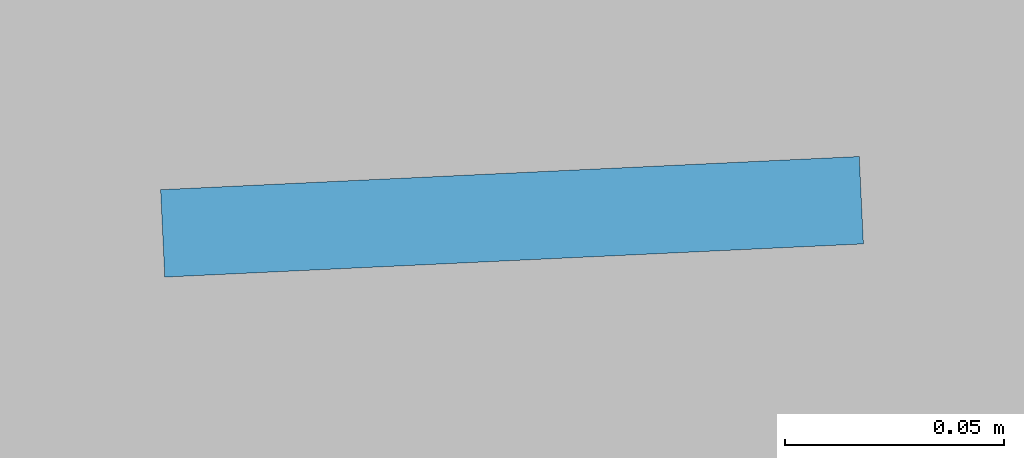
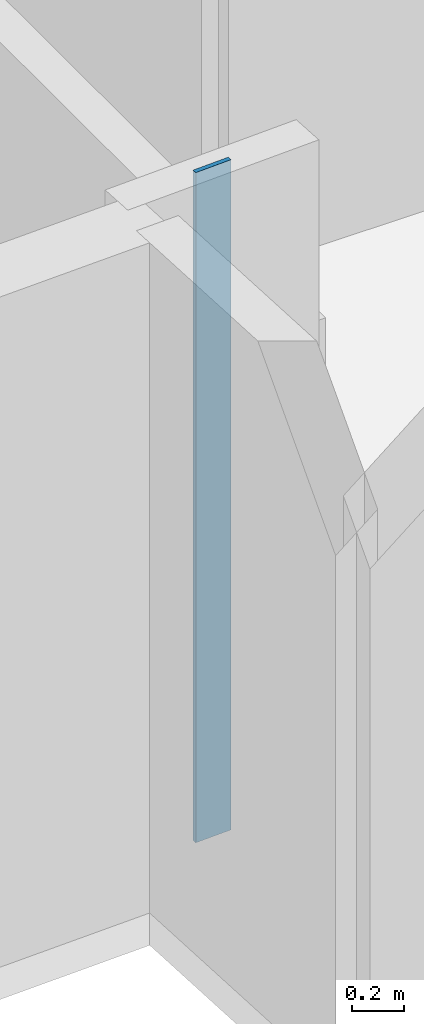
# One storey, part 3 of 15: 1 plate.
"""IFC4 building model written with IfcOpenShell, lengths in metres."""

import ifcopenshell
import ifcopenshell.guid

model = None  # the IFC model being written
_history = None  # IfcOwnerHistory: only IFC2X3 demands one
_inside = {}  # id of a spatial element -> (the spatial element, [elements in it])
_under = {}  # id of a project, library or spatial element -> (it, [spatial elements below it])
_declared = {}  # id of a project -> (the project, [libraries it declares])
_typed = {}  # id of a type object -> (the type object, [elements of that type])
_made_of = {}  # id of a material, layer set ... -> (it, [elements and type objects made of it])


def new_model(schema):
    """Start an empty IFC model of exactly this schema.

    Asked for "IFC4X3", IfcOpenShell would pick the latest addendum, in which some entities
    have other attributes; the version numbers below select the first issue.
    IFC2X3 requires an IfcOwnerHistory on every rooted entity: one is made here for all.
    """
    global model, _history
    if schema == "IFC4X3":
        model = ifcopenshell.file(schema_version=(4, 3, 0, 0))
    else:
        model = ifcopenshell.file(schema=schema)
    _inside.clear()
    _under.clear()
    _declared.clear()
    _typed.clear()
    _made_of.clear()
    _history = None
    if model.schema == "IFC2X3":
        org = make("IfcOrganization", Name="unknown")
        user = make(
            "IfcPersonAndOrganization",
            ThePerson=make("IfcPerson", FamilyName="unknown"),
            TheOrganization=org,
        )
        app = make(
            "IfcApplication",
            ApplicationDeveloper=org,
            Version="unknown",
            ApplicationFullName="unknown",
            ApplicationIdentifier="unknown",
        )
        _history = make(
            "IfcOwnerHistory",
            OwningUser=user,
            OwningApplication=app,
            ChangeAction="ADDED",
            CreationDate=0,
        )
    return model


def make(cls, **values):
    """One entity of the class cls with the attributes given. An attribute that is None is left unset."""
    return model.create_entity(
        cls, **{name: value for name, value in values.items() if value is not None}
    )


def rooted(cls, **values):
    """An entity with a GlobalId (a new one), such as an element, a storey or a relation."""
    return make(cls, GlobalId=ifcopenshell.guid.new(), OwnerHistory=_history, **values)


def si_unit(unit_type, name, prefix=None):
    """IfcSIUnit, for example si_unit("LENGTHUNIT", "METRE", prefix="MILLI")."""
    return make("IfcSIUnit", UnitType=unit_type, Prefix=prefix, Name=name)


def assignment(units):
    """IfcUnitAssignment: the units of a project."""
    return None if units is None else make("IfcUnitAssignment", Units=units)


def point(xyz):
    """IfcCartesianPoint."""
    return None if xyz is None else make("IfcCartesianPoint", Coordinates=xyz)


def direction(xyz):
    """IfcDirection."""
    return None if xyz is None else make("IfcDirection", DirectionRatios=xyz)


def frame(location, z_axis=None, x_axis=None):
    """IfcAxis2Placement3D, a coordinate frame: its origin and axes. An axis left out is left unset."""
    return make(
        "IfcAxis2Placement3D",
        Location=point(location),
        Axis=direction(z_axis),
        RefDirection=direction(x_axis),
    )


def frame_2d(location, x_axis=None):
    """IfcAxis2Placement2D, a coordinate frame in the plane: its origin and x axis."""
    return make(
        "IfcAxis2Placement2D", Location=point(location), RefDirection=direction(x_axis)
    )


def origin():
    """The frame at (0, 0, 0) with its axes left unset."""
    return frame((0.0, 0.0, 0.0))


def origin_2d():
    """The frame at (0, 0) in the plane with its x axis left unset."""
    return frame_2d((0.0, 0.0))


def place(relative_to, where):
    """IfcLocalPlacement: puts the frame where relative to a parent placement (None: the world)."""
    return make(
        "IfcLocalPlacement", PlacementRelTo=relative_to, RelativePlacement=where
    )


def context(
    kind, dimensions, precision=None, world=None, true_north=None, identifier=None
):
    """IfcGeometricRepresentationContext, for example the 3D "Model" context."""
    return make(
        "IfcGeometricRepresentationContext",
        ContextIdentifier=identifier,
        ContextType=kind,
        CoordinateSpaceDimension=dimensions,
        Precision=precision,
        WorldCoordinateSystem=world,
        TrueNorth=true_north,
    )


def subcontext(parent, identifier, kind, view, scale=None):
    """IfcGeometricRepresentationSubContext, for example "Body" below "Model"."""
    return make(
        "IfcGeometricRepresentationSubContext",
        ContextIdentifier=identifier,
        ContextType=kind,
        ParentContext=parent,
        TargetScale=scale,
        TargetView=view,
    )


def project(units=None, contexts=None):
    """IfcProject with its units and contexts."""
    return rooted(
        "IfcProject",
        Name="project",
        RepresentationContexts=contexts,
        UnitsInContext=assignment(units),
    )


def spatial(cls, under=None, at=None, **own):
    """A site, building, storey or space (cls), placed at a placement, below another one or the project."""
    s = rooted(cls, ObjectPlacement=at, **own)
    if under is not None:
        _under.setdefault(under.id(), (under, []))[1].append(s)
    return s


def profile(cls, at=None, kind="AREA", **sizes):
    """A parametric profile (cls). Its sizes go by their IFC names, for example OverallWidth=200.0."""
    return make(cls, ProfileType=kind, Position=at, **sizes)


def rectangle(**sizes):
    """IfcRectangleProfileDef."""
    return profile("IfcRectangleProfileDef", **sizes)


def extrude(swept, where, along, depth):
    """IfcExtrudedAreaSolid: the profile swept, set in the frame where, extruded along a direction by depth."""
    return make(
        "IfcExtrudedAreaSolid",
        SweptArea=swept,
        Position=where,
        ExtrudedDirection=direction(along),
        Depth=depth,
    )


def shape(context_of_items, identifier, shape_type, items):
    """IfcShapeRepresentation: the items that make up one representation, for example the "Body"."""
    return make(
        "IfcShapeRepresentation",
        ContextOfItems=context_of_items,
        RepresentationIdentifier=identifier,
        RepresentationType=shape_type,
        Items=items,
    )


def material(Name=None, Category=None):
    """IfcMaterial."""
    return make("IfcMaterial", Name=Name, Category=Category)


def layer(
    of_material, thickness, ventilated=None, Name=None, Category=None, Priority=None
):
    """IfcMaterialLayer: one layer of a wall or slab, of a material (None: an air gap)."""
    return make(
        "IfcMaterialLayer",
        Material=of_material,
        LayerThickness=thickness,
        IsVentilated=ventilated,
        Name=Name,
        Category=Category,
        Priority=Priority,
    )


def layer_set(layers, Name=None):
    """IfcMaterialLayerSet."""
    return make("IfcMaterialLayerSet", MaterialLayers=layers, LayerSetName=Name)


def made_of(thing, what):
    """Note that an element or type object is made of a material, layer set ...; save() writes the relation."""
    if what is not None:
        _made_of.setdefault(what.id(), (what, []))[1].append(thing)
    return thing


def type_object(cls, material=None, **own):
    """A type object (cls), such as IfcWallType, which elements share."""
    return made_of(rooted(cls, **own), material)


def element(
    cls,
    number,
    at=None,
    inside=None,
    cuts=None,
    type_object=None,
    material=None,
    context=None,
    identifier="Body",
    shape_type=None,
    held_by="IfcProductDefinitionShape",
    body=None,
    shapes=None,
    **own,
):
    """One element of the class cls, such as IfcWall. Its Tag is "e" and its number.

    at: its placement. inside: the storey or other place that contains it. cuts: it is an
    opening in that element (IfcRelVoidsElement). A single representation is given by context,
    identifier, shape_type and body (its items); several are given by shapes. held_by: the class
    of the entity that holds the representations. save() writes the other relations.
    """
    e = rooted(cls, Tag="e%d" % number, ObjectPlacement=at, **own)
    if body is not None:
        shapes = [shape(context, identifier, shape_type, body)]
    if shapes is not None:
        e.Representation = make(held_by, Representations=shapes)
    if inside is not None:
        _inside.setdefault(inside.id(), (inside, []))[1].append(e)
    if cuts is not None:
        rooted(
            "IfcRelVoidsElement", RelatingBuildingElement=cuts, RelatedOpeningElement=e
        )
    if type_object is not None:
        _typed.setdefault(type_object.id(), (type_object, []))[1].append(e)
    return made_of(e, material)


def aggregate(whole, parts):
    """IfcRelAggregates: a whole, such as a stair, and the parts it consists of."""
    return rooted("IfcRelAggregates", RelatingObject=whole, RelatedObjects=parts)


def save(model, path):
    """Write the relations noted so far, then the file.

    IfcRelAggregates (storeys below a building ...), IfcRelContainedInSpatialStructure (elements
    in a storey), IfcRelDefinesByType, IfcRelAssociatesMaterial and IfcRelDeclares: one each for
    every whole, place, type object, material and project.
    """
    for whole, parts in _under.values():
        aggregate(whole, parts)
    for where, things in _inside.values():
        rooted(
            "IfcRelContainedInSpatialStructure",
            RelatedElements=things,
            RelatingStructure=where,
        )
    for kind, things in _typed.values():
        rooted("IfcRelDefinesByType", RelatedObjects=things, RelatingType=kind)
    for what, things in _made_of.values():
        rooted("IfcRelAssociatesMaterial", RelatedObjects=things, RelatingMaterial=what)
    for by, libraries in _declared.values():
        rooted("IfcRelDeclares", RelatingContext=by, RelatedDefinitions=libraries)
    model.write(path)


model = new_model("IFC4")

# Units and contexts
model_context = context("Model", 3, precision=1e-05, world=origin(), true_north=direction((0.0, 1.0)))
body_context = subcontext(model_context, "Body", "Model", "MODEL_VIEW")
ifc_project = project(units=[si_unit("LENGTHUNIT", "METRE"), si_unit("AREAUNIT", "SQUARE_METRE"), si_unit("VOLUMEUNIT", "CUBIC_METRE"), si_unit("PLANEANGLEUNIT", "RADIAN"), si_unit("MASSUNIT", "GRAM", prefix="KILO")], contexts=[model_context])

# Site, building, storey
site_placement = place(None, origin())
site = spatial("IfcSite", under=ifc_project, at=site_placement, CompositionType="ELEMENT")
building_placement = place(site_placement, origin())
building = spatial("IfcBuilding", under=site, at=building_placement, Name="Miruveldt Soraemaru", CompositionType="ELEMENT")
storey_placement = place(building_placement, frame((0.0, 0.0, 36.0)))
storey = spatial("IfcBuildingStorey", under=building, at=storey_placement, Name="L09", CompositionType="ELEMENT", Elevation=36.0)

# Plate
ifc_material = material(Name="Anodised aluminium EN AW-6063 T6", Category="aluminium")
ifc_layer = layer(ifc_material, 0.02001953125, Name="Anodised aluminium EN AW-6063 T6", Category="aluminium")
ifc_layer_set = layer_set([ifc_layer], Name="Anodised aluminium EN AW-6063 T6")
plate_type = type_object("IfcPlateType", Name="PLT-PART-TRIM", PredefinedType="SHEET", material=ifc_layer_set)
plate_placement = place(storey_placement, frame((45.56396484375, 22.37939453125, 0.0), z_axis=(0.0, 0.0, 1.0), x_axis=(-0.998873370853, -0.047455126176, 0.0)))
element("IfcPlate", 1, at=plate_placement, inside=storey, type_object=plate_type, Name="L09 Partition Step Corner Trim Plate 002", PredefinedType="SHEET", context=body_context, shape_type="SweptSolid", body=[
    extrude(rectangle(XDim=0.159912109375, YDim=0.02001953125, at=origin_2d()), origin(), (0.0, 0.0, 1.0), 3.125),
])

save(model, "model.ifc")
